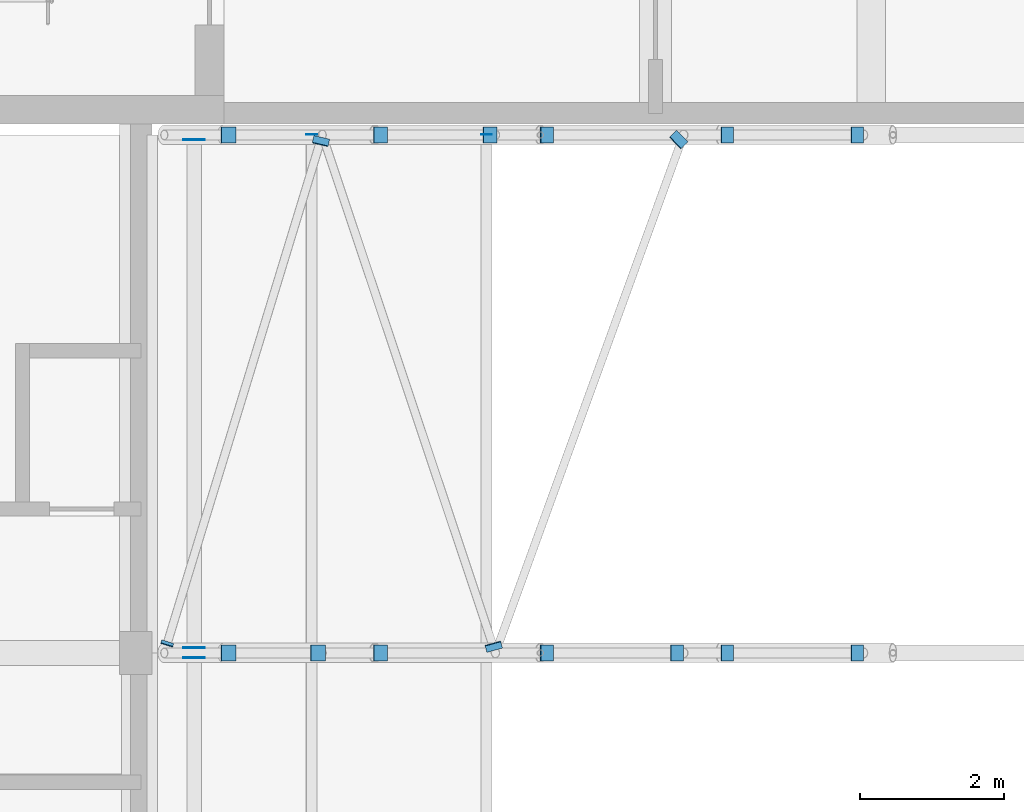
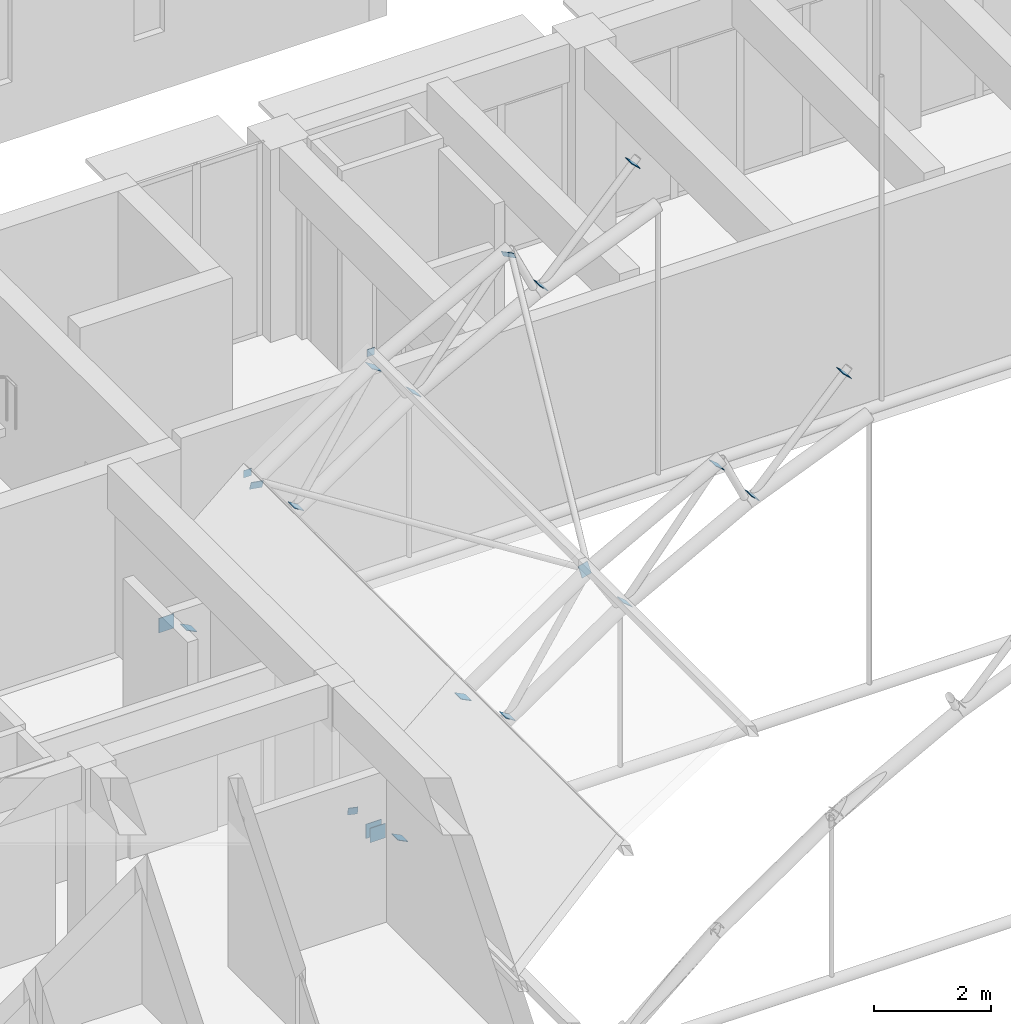
# One storey, part 84 of 101: 22 discrete accessories.
"""IFC4 building model written with IfcOpenShell, lengths in metres."""

from ifc_helpers import new_model, si_unit, direction, frame, origin, origin_2d, place, context, subcontext, project, spatial, rectangle, extrude, material, material_profile, profile_set, type_object, element, save


model = new_model("IFC4")

# Units and contexts
model_context = context("Model", 3, precision=1e-05, world=origin(), true_north=direction((0.0, 1.0)))
body_context = subcontext(model_context, "Body", "Model", "MODEL_VIEW")
ifc_project = project(units=[si_unit("LENGTHUNIT", "METRE"), si_unit("AREAUNIT", "SQUARE_METRE"), si_unit("VOLUMEUNIT", "CUBIC_METRE"), si_unit("PLANEANGLEUNIT", "RADIAN"), si_unit("MASSUNIT", "GRAM", prefix="KILO")], contexts=[model_context])

# Site, building, storey
site_placement = place(None, origin())
site = spatial("IfcSite", under=ifc_project, at=site_placement, CompositionType="ELEMENT")
building_placement = place(site_placement, origin())
building = spatial("IfcBuilding", under=site, at=building_placement, Name="Laocheng Heights Fire and Rescue Headquarters", CompositionType="ELEMENT")
storey_placement = place(building_placement, frame((0.0, 0.0, 8.39990234375)))
storey = spatial("IfcBuildingStorey", under=building, at=storey_placement, Name="L02", CompositionType="ELEMENT", Elevation=8.39990234375)

# Discrete accessories
ifc_material_1 = material(Name="Steel Q355B", Category="steel")
ifc_material_profile_1 = material_profile(ifc_material_1, rectangle(XDim=0.14990234375, YDim=0.14990234375, at=origin_2d()), Name="END CAP PLATE 150 x 150 x 8 FOR BAY ROOF PURLIN SHS 150x150x8")
ifc_profile_set_1 = profile_set([ifc_material_profile_1], Name="Steel Q355B")
discrete_accessory_type_1 = type_object("IfcDiscreteAccessoryType", Name="END CAP PLATE 150 x 150 x 8 FOR BAY ROOF PURLIN SHS 150x150x8", PredefinedType="BRACKET", material=ifc_profile_set_1)
for number, where, z_axis, x_axis, name in (
    (1, (19.221435546875, 21.60009765625, 2.941162109375), (0.0, 1.0, 0.0), (-1.0, 0.0, 0.0), "Cap plate at Purlin 2.3 end 2"),
    (2, (21.64990234375, 21.60009765625, 4.60595703125), (0.0, 1.0, 0.0), (-1.0, 0.0, 0.0), "Cap plate at Purlin 3.3 end 2"),
):
    element("IfcDiscreteAccessory", number, at=place(storey_placement, frame(where, z_axis=z_axis, x_axis=x_axis)), inside=storey, type_object=discrete_accessory_type_1, Name=name, PredefinedType="BRACKET", context=body_context, shape_type="SweptSolid", body=[
        extrude(rectangle(XDim=0.14990234375, YDim=0.14990234375, at=origin_2d()), origin(), (0.0, 0.0, 1.0), 0.0078125),
    ])
ifc_material_2 = material(Name="Steel Q355B, dark grey painted", Category="steel")
ifc_material_profile_2 = material_profile(ifc_material_2, rectangle(XDim=0.175048828125, YDim=0.175048828125, at=origin_2d()), Name="GUSSET PLATE 175 x 175 x 12 FOR BAY ROOF BRACE CHS 114.3x5")
ifc_profile_set_2 = profile_set([ifc_material_profile_2], Name="Steel Q355B, dark grey painted")
discrete_accessory_type_2 = type_object("IfcDiscreteAccessoryType", Name="GUSSET PLATE 175 x 175 x 12 FOR BAY ROOF BRACE CHS 114.3x5", PredefinedType="BRACKET", material=ifc_profile_set_2)
discrete_accessory_1_placement = place(storey_placement, frame((17.2099609375, 14.5244140625, 0.901611328125), z_axis=(0.287880642403, 0.925330636297, 0.246754836346), x_axis=(-0.954856776331, 0.297066552636, 0.0)))
element("IfcDiscreteAccessory", 3, at=discrete_accessory_1_placement, inside=storey, type_object=discrete_accessory_type_2, Name="End plate at BR17 end 1", PredefinedType="BRACKET", context=body_context, shape_type="SweptSolid", body=[
    extrude(rectangle(XDim=0.175048828125, YDim=0.175048828125, at=origin_2d()), origin(), (0.0, 0.0, 1.0), 0.011962890625),
])
ifc_material_3 = material(Name="Steel Q355B, dark grey painted", Category="steel")
ifc_material_profile_3 = material_profile(ifc_material_3, rectangle(XDim=0.22509765625, YDim=0.22509765625, at=origin_2d()), Name="GUSSET PLATE 225 x 225 x 12 FOR BAY ROOF DIAG CHS 139.7x6")
ifc_profile_set_3 = profile_set([ifc_material_profile_3], Name="Steel Q355B, dark grey painted")
discrete_accessory_type_3 = type_object("IfcDiscreteAccessoryType", Name="GUSSET PLATE 225 x 225 x 12 FOR BAY ROOF DIAG CHS 139.7x6", PredefinedType="BRACKET", material=ifc_profile_set_3)
for number, where, z_axis, x_axis, name in (
    (4, (18.059814453125, 14.39990234375, 0.1201171875), (0.4472135955, 0.0, 0.894427191), (0.0, 1.0, 0.0), "End plate at TR3-DG01 end 1"),
    (5, (19.303955078125, 14.39990234375, 2.618408203125), (0.4472135955, 0.0, 0.894427191), (0.0, 1.0, 0.0), "End plate at TR3-DG01 end 2"),
    (6, (20.172607421875, 14.39990234375, 1.910888671875), (0.535542025358, 0.0, 0.84450857845), (0.0, 1.0, 0.0), "End plate at TR3-DG02 end 1"),
    (7, (22.48486328125, 14.39990234375, 3.480712890625), (0.632126727472, 0.0, 0.774865020772), (0.0, 1.0, 0.0), "End plate at TR3-DG03 end 1"),
    (8, (24.297607421875, 14.39990234375, 5.695068359375), (0.632126727472, 0.0, 0.774865020772), (0.0, 1.0, 0.0), "End plate at TR3-DG03 end 2"),
    (9, (24.991943359375, 14.39990234375, 4.819580078125), (0.696785684263, 0.0, 0.717279380859), (0.0, 1.0, 0.0), "End plate at TR3-DG04 end 1"),
):
    element("IfcDiscreteAccessory", number, at=place(storey_placement, frame(where, z_axis=z_axis, x_axis=x_axis)), inside=storey, type_object=discrete_accessory_type_3, Name=name, PredefinedType="BRACKET", context=body_context, shape_type="SweptSolid", body=[
        extrude(rectangle(XDim=0.22509765625, YDim=0.22509765625, at=origin_2d()), origin(), (0.0, 0.0, 1.0), 0.011962890625),
    ])
discrete_accessory_2_placement = place(storey_placement, frame((26.7998046875, 14.39990234375, 6.73291015625), z_axis=(0.686623532964, 0.0, 0.72701315255), x_axis=(0.0, 1.0, 0.0)))
element("IfcDiscreteAccessory", 10, at=discrete_accessory_2_placement, inside=storey, type_object=discrete_accessory_type_3, Name="End plate at TR3-DG04 end 2", PredefinedType="BRACKET", context=body_context, shape_type="SweptSolid", body=[
    extrude(rectangle(XDim=0.22509765625, YDim=0.22509765625, at=origin_2d()), origin(), (0.0, 0.0, 1.0), 0.01220703125),
])
for number, where, z_axis, x_axis, name in (
    (11, (18.059814453125, 21.60009765625, 0.1201171875), (0.4472135955, 0.0, 0.894427191), (0.0, 1.0, 0.0), "End plate at TR4-DG01 end 1"),
    (12, (20.172607421875, 21.60009765625, 1.910888671875), (0.535542025358, 0.0, 0.84450857845), (0.0, 1.0, 0.0), "End plate at TR4-DG02 end 1"),
    (13, (21.696044921875, 21.60009765625, 4.2783203125), (0.535542025358, 0.0, 0.84450857845), (0.0, 1.0, 0.0), "End plate at TR4-DG02 end 2"),
    (14, (22.48486328125, 21.60009765625, 3.480712890625), (0.632126727472, 0.0, 0.774865020772), (0.0, 1.0, 0.0), "End plate at TR4-DG03 end 1"),
    (15, (24.991943359375, 21.60009765625, 4.819580078125), (0.696785684263, 0.0, 0.717279380859), (0.0, 1.0, 0.0), "End plate at TR4-DG04 end 1"),
):
    element("IfcDiscreteAccessory", number, at=place(storey_placement, frame(where, z_axis=z_axis, x_axis=x_axis)), inside=storey, type_object=discrete_accessory_type_3, Name=name, PredefinedType="BRACKET", context=body_context, shape_type="SweptSolid", body=[
        extrude(rectangle(XDim=0.22509765625, YDim=0.22509765625, at=origin_2d()), origin(), (0.0, 0.0, 1.0), 0.011962890625),
    ])
discrete_accessory_3_placement = place(storey_placement, frame((26.7998046875, 21.60009765625, 6.73291015625), z_axis=(0.686623532964, 0.0, 0.72701315255), x_axis=(0.0, 1.0, 0.0)))
element("IfcDiscreteAccessory", 16, at=discrete_accessory_3_placement, inside=storey, type_object=discrete_accessory_type_3, Name="End plate at TR4-DG04 end 2", PredefinedType="BRACKET", context=body_context, shape_type="SweptSolid", body=[
    extrude(rectangle(XDim=0.22509765625, YDim=0.22509765625, at=origin_2d()), origin(), (0.0, 0.0, 1.0), 0.01220703125),
])
ifc_material_4 = material(Name="Steel Q355B, dark grey painted", Category="steel")
ifc_material_profile_4 = material_profile(ifc_material_4, rectangle(XDim=0.300048828125, YDim=0.300048828125, at=origin_2d()), Name="GUSSET PLATE 300 x 300 x 12 FOR BAY ROOF EAVES SHS 200x200x8")
ifc_profile_set_4 = profile_set([ifc_material_profile_4], Name="Steel Q355B, dark grey painted")
discrete_accessory_type_4 = type_object("IfcDiscreteAccessoryType", Name="GUSSET PLATE 300 x 300 x 12 FOR BAY ROOF EAVES SHS 200x200x8", PredefinedType="BRACKET", material=ifc_profile_set_4)
discrete_accessory_4_placement = place(storey_placement, frame((17.5859375, 14.4658203125, 0.4345703125), z_axis=(0.0, 1.0, 0.0), x_axis=(-1.0, 0.0, 0.0)))
element("IfcDiscreteAccessory", 17, at=discrete_accessory_4_placement, inside=storey, type_object=discrete_accessory_type_4, Name="End plate at ES3 end 1", PredefinedType="BRACKET", context=body_context, shape_type="SweptSolid", body=[
    extrude(rectangle(XDim=0.300048828125, YDim=0.300048828125, at=origin_2d()), origin(), (0.0, 0.0, 1.0), 0.011962890625),
])
ifc_material_5 = material(Name="Steel Q355B, dark grey painted", Category="steel")
ifc_material_profile_5 = material_profile(ifc_material_5, rectangle(XDim=0.300048828125, YDim=0.300048828125, at=origin_2d()), Name="GUSSET PLATE 300 x 300 x 13 FOR BAY ROOF EAVES SHS 200x200x8")
ifc_profile_set_5 = profile_set([ifc_material_profile_5], Name="Steel Q355B, dark grey painted")
discrete_accessory_type_5 = type_object("IfcDiscreteAccessoryType", Name="GUSSET PLATE 300 x 300 x 13 FOR BAY ROOF EAVES SHS 200x200x8", PredefinedType="BRACKET", material=ifc_profile_set_5)
for number, where, z_axis, x_axis, name in (
    (18, (17.5859375, 14.32421875, 0.4345703125), (0.0, 1.0, 0.0), (-1.0, 0.0, 0.0), "End plate at ES2 end 2"),
    (19, (17.5859375, 21.524169921875, 0.4345703125), (0.0, 1.0, 0.0), (-1.0, 0.0, 0.0), "End plate at ES3 end 2"),
):
    element("IfcDiscreteAccessory", number, at=place(storey_placement, frame(where, z_axis=z_axis, x_axis=x_axis)), inside=storey, type_object=discrete_accessory_type_5, Name=name, PredefinedType="BRACKET", context=body_context, shape_type="SweptSolid", body=[
        extrude(rectangle(XDim=0.300048828125, YDim=0.300048828125, at=origin_2d()), origin(), (0.0, 0.0, 1.0), 0.012939453125),
    ])
ifc_material_6 = material(Name="Steel Q355B, dark grey painted", Category="steel")
ifc_material_profile_6 = material_profile(ifc_material_6, rectangle(XDim=0.22509765625, YDim=0.22509765625, at=origin_2d()), Name="NODE PLATE 225 x 225 x 12 FOR BAY ROOF BRACE CHS 114.3x5")
ifc_profile_set_6 = profile_set([ifc_material_profile_6], Name="Steel Q355B, dark grey painted")
discrete_accessory_type_6 = type_object("IfcDiscreteAccessoryType", Name="NODE PLATE 225 x 225 x 12 FOR BAY ROOF BRACE CHS 114.3x5", PredefinedType="BRACKET", material=ifc_profile_set_6)
for number, where, z_axis, x_axis, name in (
    (20, (21.75244140625, 14.481201171875, 4.36279296875), (-0.245306974849, 0.879016659877, -0.408844958082), (-0.963196301333, -0.268798967814, 0.0), "Node plate at BR18 end 1, BR19 end 1, TR3-DG02 end 2"),
    (21, (19.3505859375, 21.518798828125, 2.70849609375), (-0.204550737432, -0.879568170959, -0.429556548608), (0.974008027039, -0.22651349466, 0.0), "Node plate at BR17 end 2, BR18 end 2, TR4-DG01 end 2"),
):
    element("IfcDiscreteAccessory", number, at=place(storey_placement, frame(where, z_axis=z_axis, x_axis=x_axis)), inside=storey, type_object=discrete_accessory_type_6, Name=name, PredefinedType="BRACKET", context=body_context, shape_type="SweptSolid", body=[
        extrude(rectangle(XDim=0.22509765625, YDim=0.22509765625, at=origin_2d()), origin(), (0.0, 0.0, 1.0), 0.011962890625),
    ])
discrete_accessory_5_placement = place(storey_placement, frame((24.32568359375, 21.538818359375, 5.744873046875), z_axis=(-0.583984690219, -0.563847287108, -0.583984690219), x_axis=(0.6945945137, -0.719401460617, 0.0)))
element("IfcDiscreteAccessory", 22, at=discrete_accessory_5_placement, inside=storey, type_object=discrete_accessory_type_6, Name="Node plate at BR19 end 2, TR4-DG03 end 2", PredefinedType="BRACKET", context=body_context, shape_type="SweptSolid", body=[
    extrude(rectangle(XDim=0.22509765625, YDim=0.22509765625, at=origin_2d()), origin(), (0.0, 0.0, 1.0), 0.01220703125),
])

save(model, "model.ifc")
